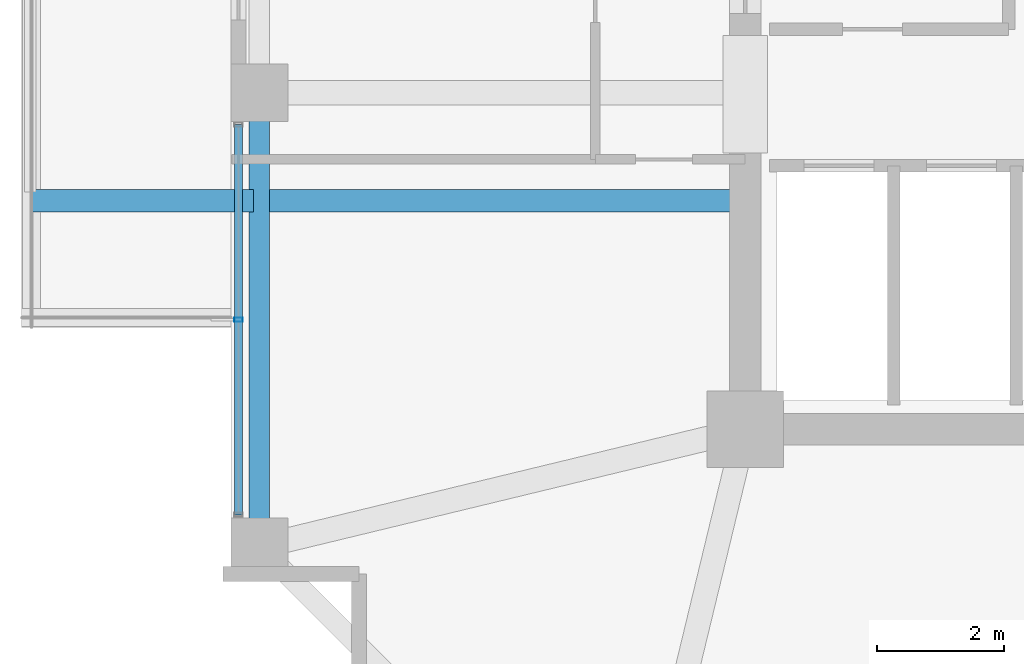
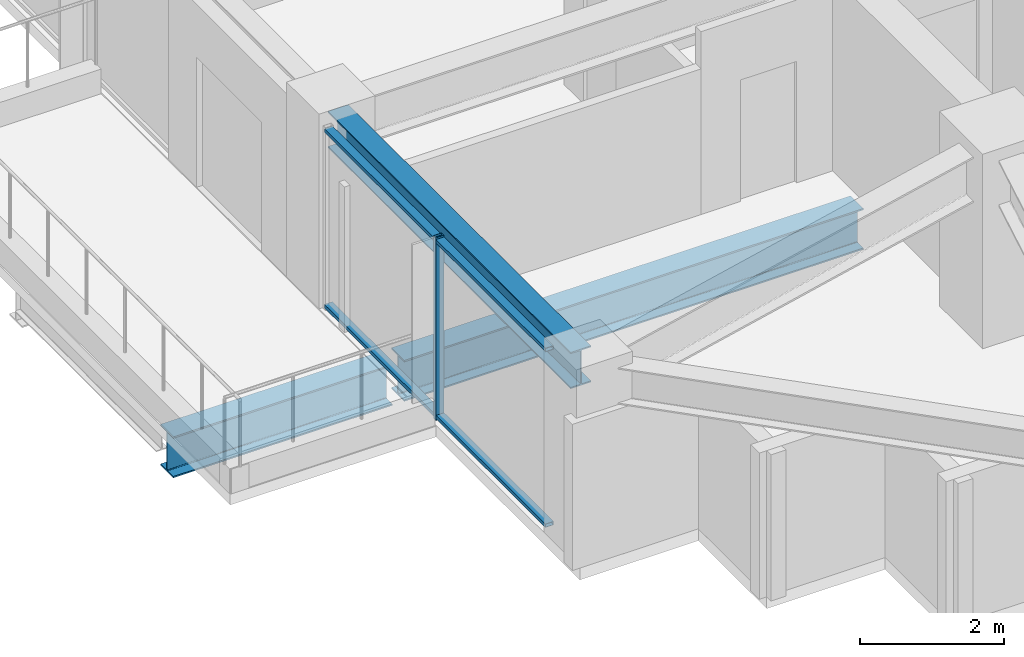
# One storey, part 4 of 32: 3 beams, 3 members, 1 element without a shape of its own.
"""IFC4 building model written with IfcOpenShell, lengths in metres."""

from ifc_helpers import new_model, si_unit, direction, frame, origin, origin_2d, place, context, subcontext, project, spatial, hollow_rectangle, i_section, extrude, material, material_profile, profile_set, type_object, element, aggregate, save


model = new_model("IFC4")

# Units and contexts
model_context = context("Model", 3, precision=1e-05, world=origin(), true_north=direction((0.0, 1.0)))
body_context = subcontext(model_context, "Body", "Model", "MODEL_VIEW")
ifc_project = project(units=[si_unit("LENGTHUNIT", "METRE"), si_unit("AREAUNIT", "SQUARE_METRE"), si_unit("VOLUMEUNIT", "CUBIC_METRE"), si_unit("PLANEANGLEUNIT", "RADIAN"), si_unit("MASSUNIT", "GRAM", prefix="KILO")], contexts=[model_context])

# Site, building, storey
site_placement = place(None, origin())
site = spatial("IfcSite", under=ifc_project, at=site_placement, CompositionType="ELEMENT")
building_placement = place(site_placement, origin())
building = spatial("IfcBuilding", under=site, at=building_placement, Name="Kolvaren Belvedere", CompositionType="ELEMENT")
storey_placement = place(building_placement, frame((0.0, 0.0, 141.5)))
storey = spatial("IfcBuildingStorey", under=building, at=storey_placement, Name="L41", CompositionType="ELEMENT", Elevation=141.5)

# Beams
ifc_material_1 = material(Name="Structural steel ASTM A992 Grade 50", Category="steel")
ifc_material_profile_1 = material_profile(ifc_material_1, i_section(OverallWidth=0.35498046875, OverallDepth=0.696044921875, WebThickness=0.015380859375, FlangeThickness=0.02490234375, FilletRadius=0.02197265625, at=origin_2d()), Name="W27X146")
ifc_profile_set_1 = profile_set([ifc_material_profile_1], Name="Structural steel ASTM A992 Grade 50")
beam_type_1 = type_object("IfcBeamType", Name="BM-CANT-BAL", PredefinedType="BEAM", material=ifc_profile_set_1)
beam_1_placement = place(storey_placement, frame((-17.64501953125, -6.300048828125, -0.548095703125), z_axis=(-1.0, 0.0, 0.0), x_axis=(0.0, -1.0, 0.0)))
element("IfcBeam", 1, at=beam_1_placement, inside=storey, type_object=beam_type_1, Name="L41 Planted Balcony Cantilever SPIRAL-06-W-1", PredefinedType="BEAM", context=body_context, shape_type="SweptSolid", body=[
    extrude(i_section(OverallWidth=0.35498046875, OverallDepth=0.696044921875, WebThickness=0.015380859375, FlangeThickness=0.02490234375, FilletRadius=0.02197265625, at=origin_2d()), origin(), (0.0, 0.0, 1.0), 3.514892578125),
])
ifc_material_2 = material(Name="Structural steel ASTM A992 Grade 50", Category="steel")
ifc_material_profile_2 = material_profile(ifc_material_2, i_section(OverallWidth=0.35498046875, OverallDepth=0.696044921875, WebThickness=0.015380859375, FlangeThickness=0.02490234375, FilletRadius=0.02197265625, at=origin_2d()), Name="W27X146")
ifc_profile_set_2 = profile_set([ifc_material_profile_2], Name="Structural steel ASTM A992 Grade 50")
beam_type_2 = type_object("IfcBeamType", Name="BM-GIRD-W27X146", PredefinedType="BEAM", material=ifc_profile_set_2)
beam_2_placement = place(storey_placement, frame((-10.090087890625, -6.300048828125, -0.548095703125), z_axis=(-1.0, 0.0, 0.0), x_axis=(0.0, -1.0, 0.0)))
element("IfcBeam", 2, at=beam_2_placement, inside=storey, type_object=beam_type_2, Name="L41 Balcony Interior Back-Span Girder SPIRAL-06-W-1", PredefinedType="BEAM", context=body_context, shape_type="SweptSolid", body=[
    extrude(i_section(OverallWidth=0.35498046875, OverallDepth=0.696044921875, WebThickness=0.015380859375, FlangeThickness=0.02490234375, FilletRadius=0.02197265625, at=origin_2d()), origin(), (0.0, 0.0, 1.0), 7.364990234375),
])
ifc_material_3 = material(Name="Structural steel ASTM A992 Grade 50", Category="steel")
ifc_material_profile_3 = material_profile(ifc_material_3, i_section(OverallWidth=0.324951171875, OverallDepth=0.615966796875, WebThickness=0.013916015625, FlangeThickness=0.021484375, FilletRadius=0.02001953125, at=origin_2d()), Name="W24X117")
ifc_profile_set_3 = profile_set([ifc_material_profile_3], Name="Structural steel ASTM A992 Grade 50")
beam_type_3 = type_object("IfcBeamType", Name="BM-SPAN-W24X117", PredefinedType="SPANDREL", material=ifc_profile_set_3)
beam_3_placement = place(storey_placement, frame((-17.550048828125, -4.802490234375, 2.7919921875), z_axis=(0.0, -1.0, 0.0), x_axis=(1.0, 0.0, 0.0)))
element("IfcBeam", 3, at=beam_3_placement, inside=storey, type_object=beam_type_3, Name="L41 Perimeter Spandrel W2-W1", PredefinedType="SPANDREL", context=body_context, shape_type="SweptSolid", body=[
    extrude(i_section(OverallWidth=0.324951171875, OverallDepth=0.615966796875, WebThickness=0.013916015625, FlangeThickness=0.021484375, FilletRadius=0.02001953125, at=origin_2d()), origin(), (0.0, 0.0, 1.0), 6.7451171875),
])

# Curtain wall, members
ifc_material_4 = material(Name="Anodised pale-metal aluminium AA 6063-T6", Category="aluminium")
curtain_wall_type = type_object("IfcCurtainWallType", Name="CW-Z3-WAIST", PredefinedType="NOTDEFINED", material=ifc_material_4)
curtain_wall_placement = place(storey_placement, origin())
curtain_wall = element("IfcCurtainWall", 4, at=curtain_wall_placement, inside=storey, type_object=curtain_wall_type, Name="L41 Unitised Curtain Wall FCW-L41-W1", PredefinedType="NOTDEFINED")
ifc_material_5 = material(Name="Anodised pale-metal aluminium AA 6063-T6", Category="aluminium")
ifc_material_profile_4 = material_profile(ifc_material_5, hollow_rectangle(XDim=0.06494140625, YDim=0.1298828125, WallThickness=0.00390625, at=origin_2d()), Name="ALU-MUL-130X65")
ifc_profile_set_4 = profile_set([ifc_material_profile_4], Name="Anodised pale-metal aluminium AA 6063-T6")
member_type_1 = type_object("IfcMemberType", Name="CW-MUL-130", PredefinedType="MULLION", material=ifc_profile_set_4)
member_1_placement = place(storey_placement, frame((-17.8798828125, -8.175048828125, 0.0), z_axis=(0.0, 0.0, 1.0), x_axis=(0.0, 1.0, 0.0)))
member_1 = element("IfcMember", 5, at=member_1_placement, type_object=member_type_1, Name="FCW-L41-W1 Unitised Mullion 2", PredefinedType="MULLION", context=body_context, shape_type="SweptSolid", body=[
    extrude(hollow_rectangle(XDim=0.06494140625, YDim=0.1298828125, WallThickness=0.00390625, at=origin_2d()), origin(), (0.0, 0.0, 1.0), 3.10009765625),
])
ifc_material_6 = material(Name="Anodised pale-metal aluminium AA 6063-T6", Category="aluminium")
ifc_material_profile_5 = material_profile(ifc_material_6, hollow_rectangle(XDim=0.06005859375, YDim=0.1298828125, WallThickness=0.00390625, at=origin_2d()), Name="ALU-TRN-130X60")
ifc_profile_set_5 = profile_set([ifc_material_profile_5], Name="Anodised pale-metal aluminium AA 6063-T6")
member_type_2 = type_object("IfcMemberType", Name="CW-TRN-130", PredefinedType="USERDEFINED", material=ifc_profile_set_5)
member_2_placement = place(storey_placement, frame((-17.8798828125, -11.24755859375, 0.06005859375), z_axis=(0.0, 1.0, 0.0), x_axis=(0.0, 0.0, 1.0)))
member_2 = element("IfcMember", 6, at=member_2_placement, type_object=member_type_2, Name="FCW-L41-W1 Sill Transom", ObjectType="TRANSOM", PredefinedType="USERDEFINED", context=body_context, shape_type="SweptSolid", body=[
    extrude(hollow_rectangle(XDim=0.06005859375, YDim=0.1298828125, WallThickness=0.00390625, at=origin_2d()), origin(), (0.0, 0.0, 1.0), 6.14501953125),
])
member_3_placement = place(storey_placement, frame((-17.8798828125, -11.24755859375, 3.0400390625), z_axis=(0.0, 1.0, 0.0), x_axis=(0.0, 0.0, 1.0)))
member_3 = element("IfcMember", 7, at=member_3_placement, type_object=member_type_2, Name="FCW-L41-W1 Head Transom", ObjectType="TRANSOM", PredefinedType="USERDEFINED", context=body_context, shape_type="SweptSolid", body=[
    extrude(hollow_rectangle(XDim=0.06005859375, YDim=0.1298828125, WallThickness=0.00390625, at=origin_2d()), origin(), (0.0, 0.0, 1.0), 6.14501953125),
])
aggregate(curtain_wall, [member_1, member_2, member_3])

save(model, "model.ifc")
